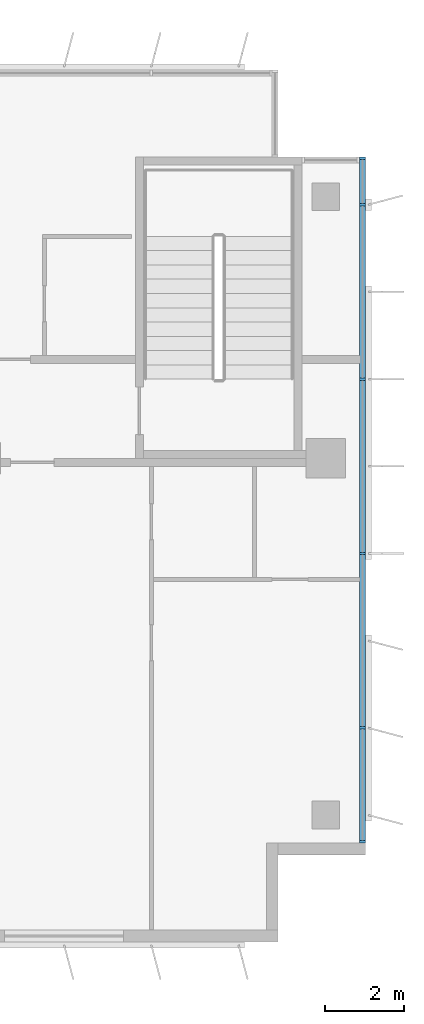
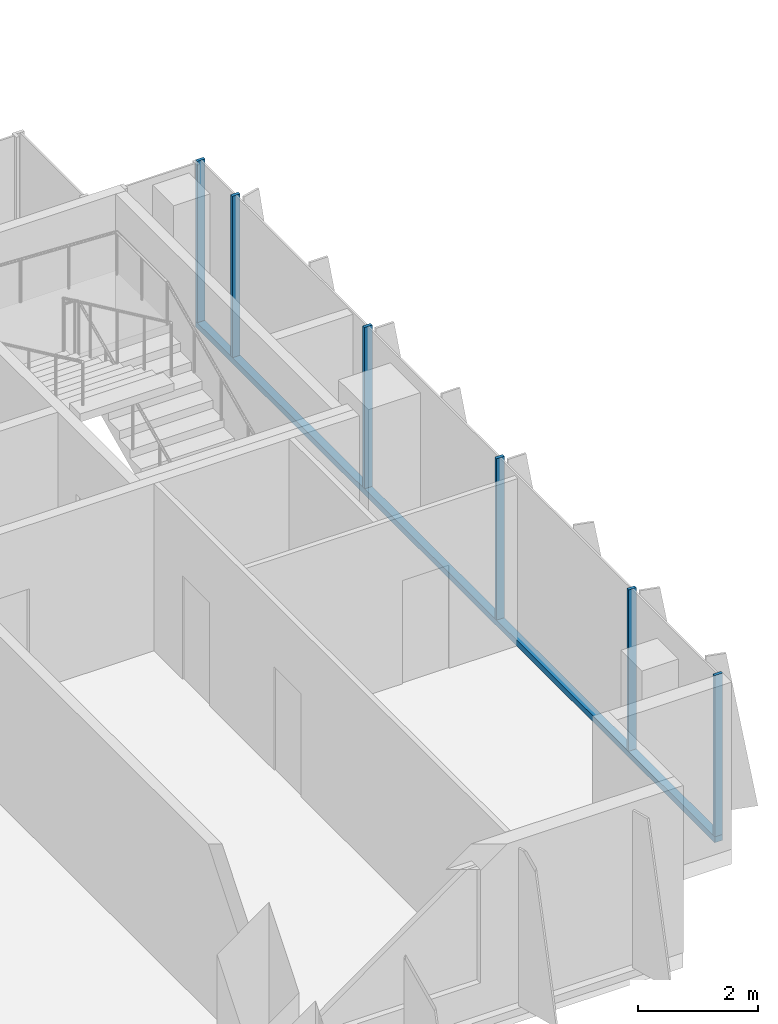
# One storey, part 8 of 21: 7 members, 1 element without a shape of its own.
"""IFC4 building model written with IfcOpenShell, lengths in metres."""

from ifc_helpers import new_model, si_unit, direction, frame, origin, origin_2d, place, context, subcontext, project, spatial, rectangle, extrude, source, transform, mapped, material, material_profile, profile_set, type_object, element, aggregate, save


model = new_model("IFC4")

# Units and contexts
model_context = context("Model", 3, precision=1e-05, world=origin(), true_north=direction((0.0, 1.0)))
body_context = subcontext(model_context, "Body", "Model", "MODEL_VIEW")
ifc_project = project(units=[si_unit("LENGTHUNIT", "METRE"), si_unit("AREAUNIT", "SQUARE_METRE"), si_unit("VOLUMEUNIT", "CUBIC_METRE"), si_unit("PLANEANGLEUNIT", "RADIAN"), si_unit("MASSUNIT", "GRAM", prefix="KILO")], contexts=[model_context])

# Site, building, storey
site_placement = place(None, origin())
site = spatial("IfcSite", under=ifc_project, at=site_placement, CompositionType="ELEMENT")
building_placement = place(site_placement, origin())
building = spatial("IfcBuilding", under=site, at=building_placement, Name="Kemantara Hotel Tower", CompositionType="ELEMENT")
storey_placement = place(building_placement, frame((0.0, 0.0, 211.699951171875)))
storey = spatial("IfcBuildingStorey", under=building, at=storey_placement, Name="L52", CompositionType="ELEMENT", Elevation=211.699951171875)

# Curtain wall, members
ifc_material_1 = material(Name="Low-E tinted double insulated glass 36 mm", Category="glass")
curtain_wall_type = type_object("IfcCurtainWallType", Name="TOWER CURTAIN WALL, FRONT FACES", PredefinedType="USERDEFINED", material=ifc_material_1)
curtain_wall_placement = place(storey_placement, origin())
curtain_wall = element("IfcCurtainWall", 1, at=curtain_wall_placement, inside=storey, type_object=curtain_wall_type, Name="CW4 L52 T3-R11-1", ObjectType="TOWER CURTAIN WALL, FRONT FACES", PredefinedType="USERDEFINED")
ifc_material_2 = material(Name="Aluminium 6063-T6 bronze anodised", Category="aluminium")
ifc_material_profile_1 = material_profile(ifc_material_2, rectangle(XDim=0.14990234375, YDim=0.1201171875, at=origin_2d()), Name="TOWER CURTAIN WALL, FRONT FACES TRANSOM")
ifc_profile_set_1 = profile_set([ifc_material_profile_1], Name="Aluminium 6063-T6 bronze anodised")
member_type_1 = type_object("IfcMemberType", Name="TOWER CURTAIN WALL, FRONT FACES TRANSOM", PredefinedType="USERDEFINED", material=ifc_profile_set_1)
member_1_placement = place(storey_placement, frame((63.52490234375, 2.5, 0.06005859375), z_axis=(0.0, 1.0, 0.0), x_axis=(-1.0, 0.0, 0.0)))
member_1 = element("IfcMember", 2, at=member_1_placement, type_object=member_type_1, Name="CW4 sill transom T3-R11-1", ObjectType="TRANSOM", PredefinedType="USERDEFINED", context=body_context, shape_type="SweptSolid", body=[
    extrude(rectangle(XDim=0.14990234375, YDim=0.1201171875, at=origin_2d()), origin(), (0.0, 0.0, 1.0), 17.300048828125),
])
ifc_material_profile_2 = material_profile(ifc_material_2, rectangle(XDim=0.14990234375, YDim=0.06005859375, at=origin_2d()), Name="TOWER CURTAIN WALL, FRONT FACES MULLION")
ifc_profile_set_2 = profile_set([ifc_material_profile_2], Name="Aluminium 6063-T6 bronze anodised")
member_type_2 = type_object("IfcMemberType", Name="TOWER CURTAIN WALL, FRONT FACES MULLION", PredefinedType="MULLION", material=ifc_profile_set_2)
shared_shape = source(origin(), body_context, "Body", "SweptSolid", [
    extrude(rectangle(XDim=0.14990234375, YDim=0.06005859375, at=origin_2d()), origin(), (0.0, 0.0, 1.0), 3.280029296875),
])
member_2_placement = place(storey_placement, frame((63.52490234375, 2.530029296875, 0.1201171875), z_axis=(0.0, 0.0, 1.0), x_axis=(-1.0, 0.0, 0.0)))
member_2 = element("IfcMember", 3, at=member_2_placement, type_object=member_type_2, Name="CW4 mullion T3-R11-1.1", PredefinedType="MULLION", context=body_context, shape_type="MappedRepresentation", body=[
    mapped(shared_shape, transform((0.0, 0.0, 0.0))),
])
member_3_placement = place(storey_placement, frame((63.52490234375, 5.39990234375, 0.1201171875), z_axis=(0.0, 0.0, 1.0), x_axis=(-1.0, 0.0, 0.0)))
member_3 = element("IfcMember", 4, at=member_3_placement, type_object=member_type_2, Name="CW4 mullion T3-R11-1.2", PredefinedType="MULLION", context=body_context, shape_type="MappedRepresentation", body=[
    mapped(shared_shape, transform((0.0, 0.0, 0.0))),
])
member_4_placement = place(storey_placement, frame((63.52490234375, 9.800048828125, 0.1201171875), z_axis=(0.0, 0.0, 1.0), x_axis=(-1.0, 0.0, 0.0)))
member_4 = element("IfcMember", 5, at=member_4_placement, type_object=member_type_2, Name="CW4 mullion T3-R11-1.3", PredefinedType="MULLION", context=body_context, shape_type="MappedRepresentation", body=[
    mapped(shared_shape, transform((0.0, 0.0, 0.0))),
])
member_5_placement = place(storey_placement, frame((63.52490234375, 14.199951171875, 0.1201171875), z_axis=(0.0, 0.0, 1.0), x_axis=(-1.0, 0.0, 0.0)))
member_5 = element("IfcMember", 6, at=member_5_placement, type_object=member_type_2, Name="CW4 mullion T3-R11-1.4", PredefinedType="MULLION", context=body_context, shape_type="MappedRepresentation", body=[
    mapped(shared_shape, transform((0.0, 0.0, 0.0))),
])
member_6_placement = place(storey_placement, frame((63.52490234375, 18.60009765625, 0.1201171875), z_axis=(0.0, 0.0, 1.0), x_axis=(-1.0, 0.0, 0.0)))
member_6 = element("IfcMember", 7, at=member_6_placement, type_object=member_type_2, Name="CW4 mullion T3-R11-1.5", PredefinedType="MULLION", context=body_context, shape_type="MappedRepresentation", body=[
    mapped(shared_shape, transform((0.0, 0.0, 0.0))),
])
member_7_placement = place(storey_placement, frame((63.52490234375, 19.77001953125, 0.1201171875), z_axis=(0.0, 0.0, 1.0), x_axis=(-1.0, 0.0, 0.0)))
member_7 = element("IfcMember", 8, at=member_7_placement, type_object=member_type_2, Name="CW4 mullion T3-R11-1.6", PredefinedType="MULLION", context=body_context, shape_type="MappedRepresentation", body=[
    mapped(shared_shape, transform((0.0, 0.0, 0.0))),
])
aggregate(curtain_wall, [member_1, member_2, member_3, member_4, member_5, member_6, member_7])

save(model, "model.ifc")
